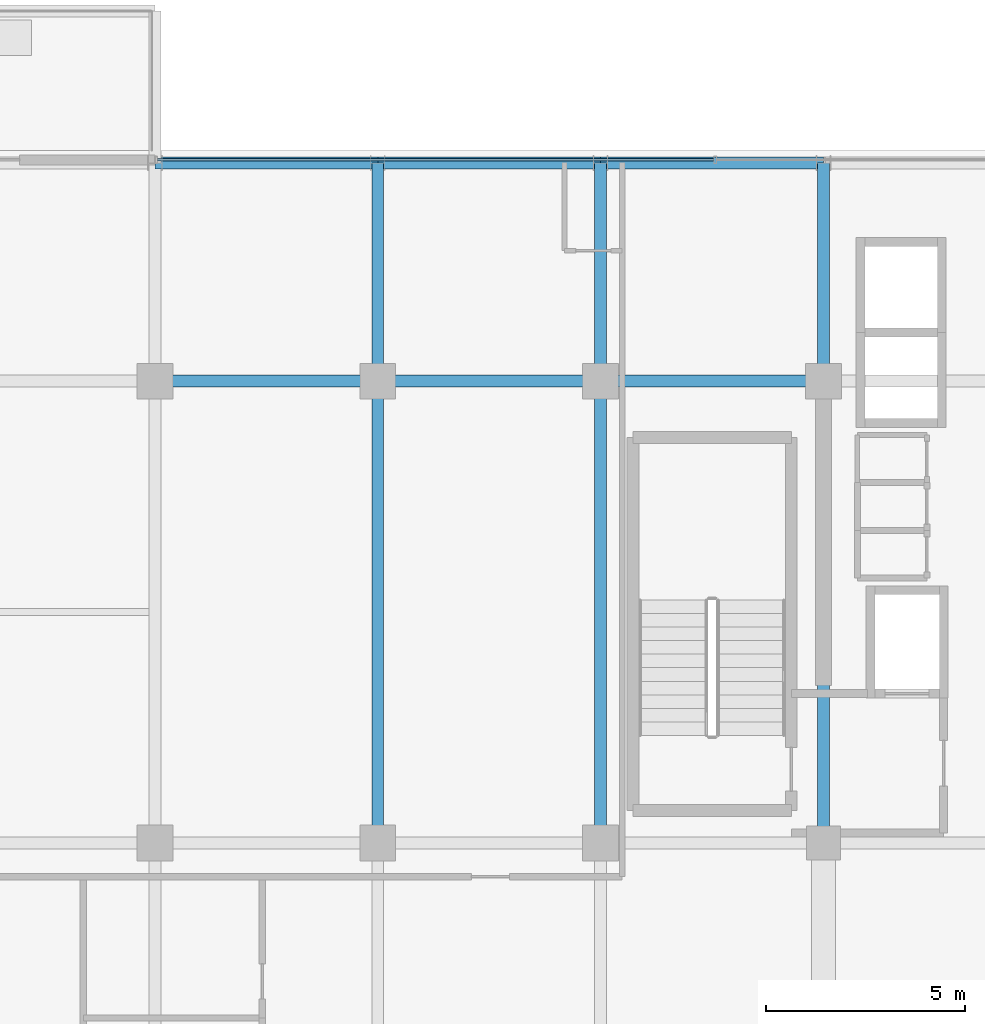
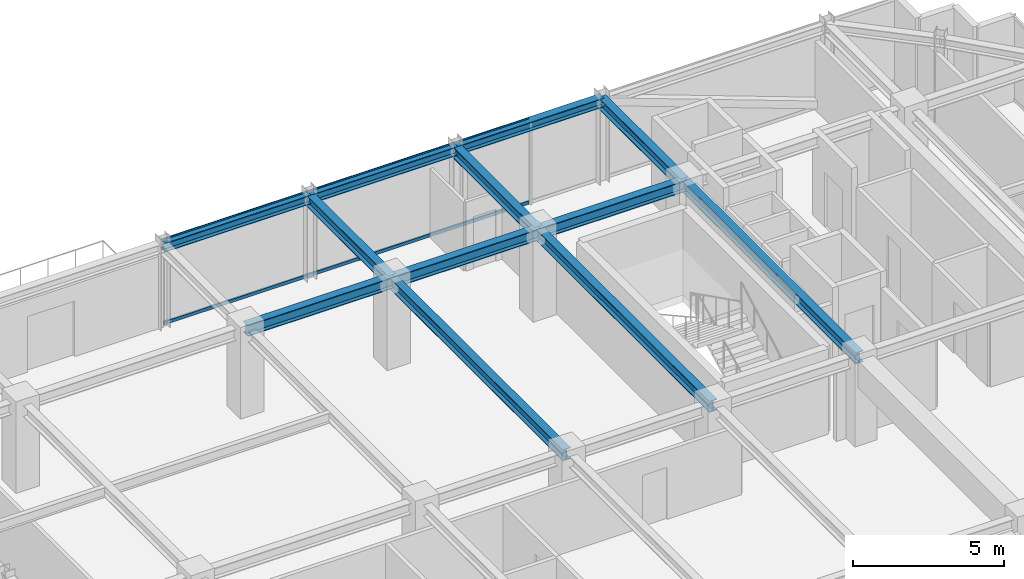
# One storey, part 19 of 31: 12 beams, 2 members, 1 element without a shape of its own.
"""IFC4 building model written with IfcOpenShell, lengths in metres."""

from ifc_helpers import new_model, si_unit, direction, frame, origin, origin_2d, place, context, subcontext, project, spatial, hollow_rectangle, i_section, extrude, source, transform, mapped, material, material_profile, profile_set, type_object, element, aggregate, save


model = new_model("IFC4")

# Units and contexts
model_context = context("Model", 3, precision=1e-05, world=origin(), true_north=direction((0.0, 1.0)))
body_context = subcontext(model_context, "Body", "Model", "MODEL_VIEW")
ifc_project = project(units=[si_unit("LENGTHUNIT", "METRE"), si_unit("AREAUNIT", "SQUARE_METRE"), si_unit("VOLUMEUNIT", "CUBIC_METRE"), si_unit("PLANEANGLEUNIT", "RADIAN"), si_unit("MASSUNIT", "GRAM", prefix="KILO")], contexts=[model_context])

# Site, building, storey
site_placement = place(None, origin())
site = spatial("IfcSite", under=ifc_project, at=site_placement, CompositionType="ELEMENT")
building_placement = place(site_placement, origin())
building = spatial("IfcBuilding", under=site, at=building_placement, Name="Nahalor Promenade Grand Hotel", CompositionType="ELEMENT")
storey_placement = place(building_placement, frame((0.0, 0.0, 281.300048828125)))
storey = spatial("IfcBuildingStorey", under=building, at=storey_placement, Name="L72", CompositionType="ELEMENT", Elevation=281.300048828125)

# Beams
ifc_material_1 = material(Name="Steel S355JR", Category="steel")
ifc_material_profile_1 = material_profile(ifc_material_1, i_section(OverallWidth=0.3, OverallDepth=0.45, WebThickness=0.014, FlangeThickness=0.026, at=origin_2d()), Name="HEB 450")
ifc_profile_set_1 = profile_set([ifc_material_profile_1], Name="Steel S355JR")
beam_type_1 = type_object("IfcBeamType", Name="Beam-Girder-HEB450", PredefinedType="BEAM", material=ifc_profile_set_1)
shared_shape_1 = source(origin(), body_context, "Body", "SweptSolid", [
    extrude(i_section(OverallWidth=0.3, OverallDepth=0.45, WebThickness=0.014, FlangeThickness=0.026, at=origin_2d()), origin(), (0.0, 0.0, 1.0), 5.599853515625),
])
for number, where, z_axis, x_axis, name in (
    (1, (-8.39990234375, 17.0, 3.224853515625), (1.0, 0.0, 0.0), (0.0, 1.0, 0.0), "BM-L72-GX-3-2"),
    (2, (2.800048828125, 17.0, 3.224853515625), (1.0, 0.0, 0.0), (0.0, 1.0, 0.0), "BM-L72-GX-3-4"),
):
    element("IfcBeam", number, at=place(storey_placement, frame(where, z_axis=z_axis, x_axis=x_axis)), inside=storey, type_object=beam_type_1, Name=name, PredefinedType="BEAM", context=body_context, shape_type="MappedRepresentation", body=[
        mapped(shared_shape_1, transform((0.0, 0.0, 0.0), scale=1.0)),
    ])
shared_shape_2 = source(origin(), body_context, "Body", "SweptSolid", [
    extrude(i_section(OverallWidth=0.3, OverallDepth=0.45, WebThickness=0.014, FlangeThickness=0.026, at=origin_2d()), origin(), (0.0, 0.0, 1.0), 5.60009765625),
])
beam_1_placement = place(storey_placement, frame((-2.800048828125, 17.0, 3.224853515625), z_axis=(1.0, 0.0, 0.0), x_axis=(0.0, 1.0, 0.0)))
element("IfcBeam", 3, at=beam_1_placement, inside=storey, type_object=beam_type_1, Name="BM-L72-GX-3-3", PredefinedType="BEAM", context=body_context, shape_type="MappedRepresentation", body=[
    mapped(shared_shape_2, transform((0.0, 0.0, 0.0), scale=1.0)),
])
shared_shape_3 = source(origin(), body_context, "Body", "SweptSolid", [
    extrude(i_section(OverallWidth=0.3, OverallDepth=0.45, WebThickness=0.014, FlangeThickness=0.026, at=origin_2d()), origin(), (0.0, 0.0, 1.0), 11.60009765625),
])
for number, where, z_axis, x_axis, name in (
    (4, (-2.800048828125, 5.39990234375, 3.224853515625), (0.0, 1.0, 0.0), (-1.0, 0.0, 0.0), "BM-L72-GY-2-3"),
    (5, (2.800048828125, 5.39990234375, 3.224853515625), (0.0, 1.0, 0.0), (-1.0, 0.0, 0.0), "BM-L72-GY-3-3"),
    (6, (8.39990234375, 5.39990234375, 3.224853515625), (0.0, 1.0, 0.0), (-1.0, 0.0, 0.0), "BM-L72-GY-4-3"),
):
    element("IfcBeam", number, at=place(storey_placement, frame(where, z_axis=z_axis, x_axis=x_axis)), inside=storey, type_object=beam_type_1, Name=name, PredefinedType="BEAM", context=body_context, shape_type="MappedRepresentation", body=[
        mapped(shared_shape_3, transform((0.0, 0.0, 0.0), scale=1.0)),
    ])
shared_shape_4 = source(origin(), body_context, "Body", "SweptSolid", [
    extrude(i_section(OverallWidth=0.3, OverallDepth=0.45, WebThickness=0.014, FlangeThickness=0.026, at=origin_2d()), origin(), (0.0, 0.0, 1.0), 5.47998046875),
])
for number, where, z_axis, x_axis, name in (
    (7, (-2.800048828125, 17.0, 3.224853515625), (0.0, 1.0, 0.0), (-1.0, 0.0, 0.0), "BM-L72-GY-2-4"),
    (8, (2.800048828125, 17.0, 3.224853515625), (0.0, 1.0, 0.0), (-1.0, 0.0, 0.0), "BM-L72-GY-3-4"),
    (9, (8.39990234375, 17.0, 3.224853515625), (0.0, 1.0, 0.0), (-1.0, 0.0, 0.0), "BM-L72-GY-4-4"),
):
    element("IfcBeam", number, at=place(storey_placement, frame(where, z_axis=z_axis, x_axis=x_axis)), inside=storey, type_object=beam_type_1, Name=name, PredefinedType="BEAM", context=body_context, shape_type="MappedRepresentation", body=[
        mapped(shared_shape_4, transform((0.0, 0.0, 0.0), scale=1.0)),
    ])
ifc_material_profile_2 = material_profile(ifc_material_1, i_section(OverallWidth=0.3, OverallDepth=0.36, WebThickness=0.0125, FlangeThickness=0.0225, at=origin_2d()), Name="HEB 360")
ifc_profile_set_2 = profile_set([ifc_material_profile_2], Name="Steel S355JR")
beam_type_2 = type_object("IfcBeamType", Name="Beam-Spandrel-HEB360", PredefinedType="SPANDREL", material=ifc_profile_set_2)
shared_shape_5 = source(origin(), body_context, "Body", "SweptSolid", [
    extrude(i_section(OverallWidth=0.3, OverallDepth=0.36, WebThickness=0.0125, FlangeThickness=0.0225, at=origin_2d()), origin(), (0.0, 0.0, 1.0), 5.599853515625),
])
for number, where, z_axis, x_axis, name in (
    (10, (-8.39990234375, 22.47998046875, 3.27001953125), (1.0, 0.0, 0.0), (0.0, 1.0, 0.0), "BM-L72-SP-N-1"),
    (11, (2.800048828125, 22.47998046875, 3.27001953125), (1.0, 0.0, 0.0), (0.0, 1.0, 0.0), "BM-L72-SP-N-3"),
):
    element("IfcBeam", number, at=place(storey_placement, frame(where, z_axis=z_axis, x_axis=x_axis)), inside=storey, type_object=beam_type_2, Name=name, PredefinedType="SPANDREL", context=body_context, shape_type="MappedRepresentation", body=[
        mapped(shared_shape_5, transform((0.0, 0.0, 0.0), scale=1.0)),
    ])
shared_shape_6 = source(origin(), body_context, "Body", "SweptSolid", [
    extrude(i_section(OverallWidth=0.3, OverallDepth=0.36, WebThickness=0.0125, FlangeThickness=0.0225, at=origin_2d()), origin(), (0.0, 0.0, 1.0), 5.60009765625),
])
beam_2_placement = place(storey_placement, frame((-2.800048828125, 22.47998046875, 3.27001953125), z_axis=(1.0, 0.0, 0.0), x_axis=(0.0, 1.0, 0.0)))
element("IfcBeam", 12, at=beam_2_placement, inside=storey, type_object=beam_type_2, Name="BM-L72-SP-N-2", PredefinedType="SPANDREL", context=body_context, shape_type="MappedRepresentation", body=[
    mapped(shared_shape_6, transform((0.0, 0.0, 0.0), scale=1.0)),
])

# Curtain wall, members
ifc_material_2 = material(Name="Anodised Bronze Aluminium EN AW-6063 T6", Category="aluminium")
curtain_wall_type = type_object("IfcCurtainWallType", Name="CW2 Typical Hotel Flush Bronze Unitised Curtain Wall", PredefinedType="USERDEFINED", material=ifc_material_2)
curtain_wall_placement = place(storey_placement, origin())
curtain_wall = element("IfcCurtainWall", 13, at=curtain_wall_placement, inside=storey, type_object=curtain_wall_type, Name="L72 Curtain Wall CW-L72-N-3", ObjectType="UNITISED_CURTAIN_WALL", PredefinedType="USERDEFINED")
ifc_material_profile_3 = material_profile(ifc_material_2, hollow_rectangle(XDim=0.065, YDim=0.13, WallThickness=0.004, at=origin_2d()), Name="CWT 65x130x4")
ifc_profile_set_3 = profile_set([ifc_material_profile_3], Name="Anodised Bronze Aluminium EN AW-6063 T6")
member_type = type_object("IfcMemberType", Name="CWT2 Typical Bronze Transom 65x130", PredefinedType="USERDEFINED", material=ifc_profile_set_3)
shared_shape_7 = source(origin(), body_context, "Body", "SweptSolid", [
    extrude(hollow_rectangle(XDim=0.065, YDim=0.13, WallThickness=0.004, at=origin_2d()), origin(), (0.0, 0.0, 1.0), 13.982421875),
])
member_1_placement = place(storey_placement, frame((-8.3349609375, 22.56005859375, 0.06494140625), z_axis=(1.0, 0.0, 0.0), x_axis=(0.0, 1.0, 0.0)))
member_1 = element("IfcMember", 14, at=member_1_placement, type_object=member_type, Name="CW-L72-N-3 Transom 0-0", ObjectType="TRANSOM", PredefinedType="USERDEFINED", context=body_context, shape_type="MappedRepresentation", body=[
    mapped(shared_shape_7, transform((0.0, 0.0, 0.0), scale=1.0)),
])
member_2_placement = place(storey_placement, frame((-8.3349609375, 22.56005859375, 3.385009765625), z_axis=(1.0, 0.0, 0.0), x_axis=(0.0, 1.0, 0.0)))
member_2 = element("IfcMember", 15, at=member_2_placement, type_object=member_type, Name="CW-L72-N-3 Transom 0-1", ObjectType="TRANSOM", PredefinedType="USERDEFINED", context=body_context, shape_type="MappedRepresentation", body=[
    mapped(shared_shape_7, transform((0.0, 0.0, 0.0), scale=1.0)),
])
aggregate(curtain_wall, [member_1, member_2])

save(model, "model.ifc")
